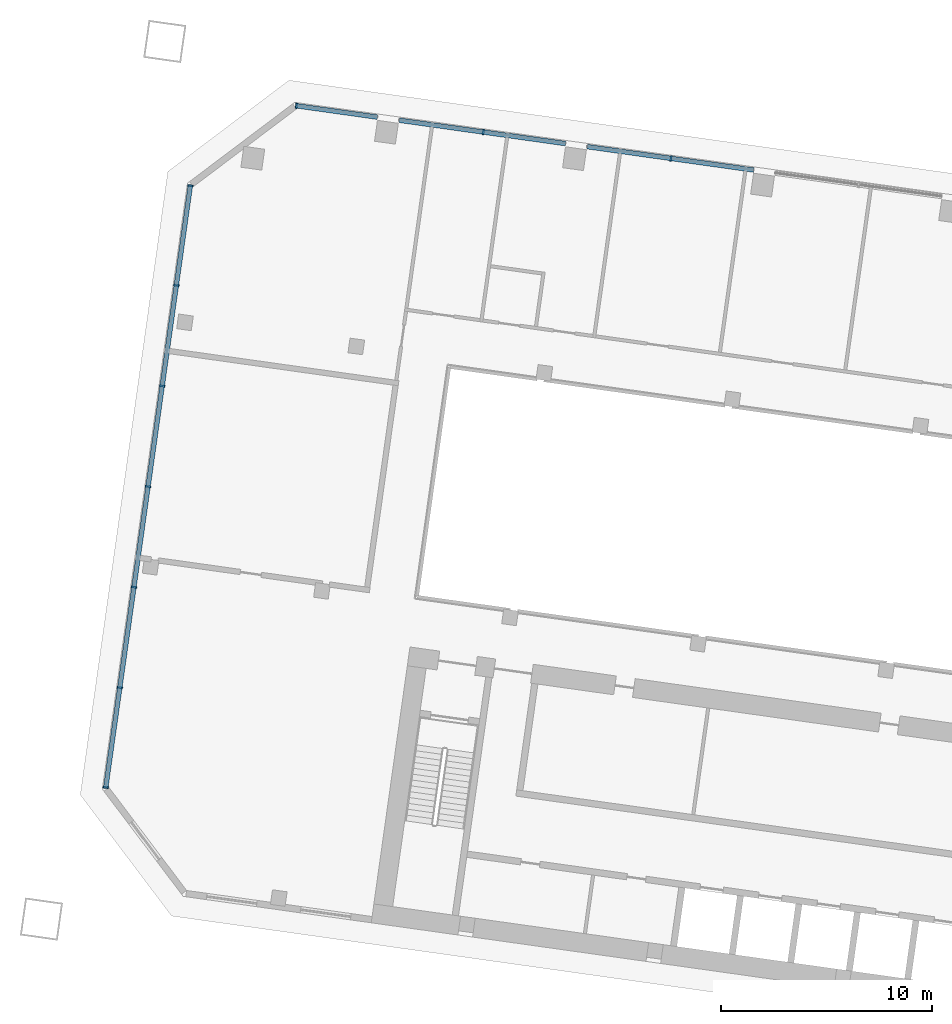
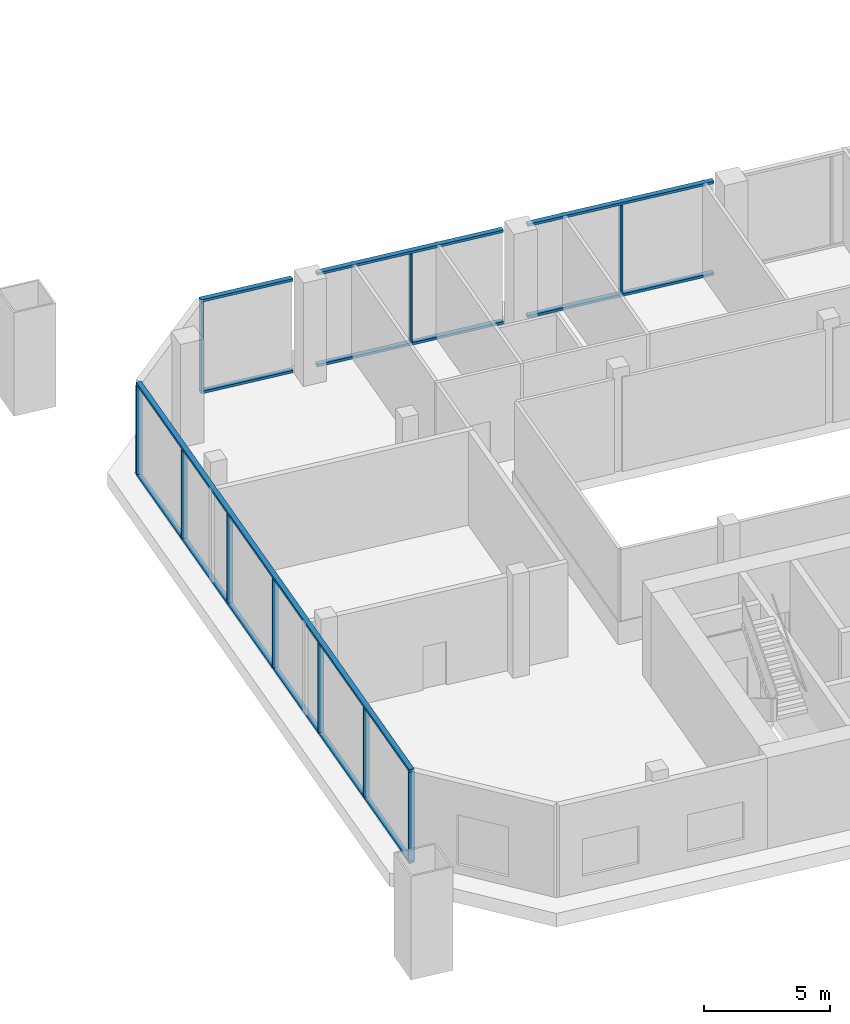
# One storey, part 2 of 21: 18 members, 2 elements without a shape of their own.
"""IFC4 building model written with IfcOpenShell, lengths in metres."""

from ifc_helpers import new_model, si_unit, direction, frame, origin, origin_2d, place, context, subcontext, project, spatial, rectangle, extrude, material, material_profile, profile_set, type_object, element, aggregate, save


model = new_model("IFC4")

# Units and contexts
model_context = context("Model", 3, precision=1e-05, world=origin(), true_north=direction((0.0, 1.0)))
body_context = subcontext(model_context, "Body", "Model", "MODEL_VIEW")
ifc_project = project(units=[si_unit("LENGTHUNIT", "METRE"), si_unit("AREAUNIT", "SQUARE_METRE"), si_unit("VOLUMEUNIT", "CUBIC_METRE"), si_unit("PLANEANGLEUNIT", "RADIAN"), si_unit("MASSUNIT", "GRAM", prefix="KILO")], contexts=[model_context])

# Site, building, storey
site_placement = place(None, origin())
site = spatial("IfcSite", under=ifc_project, at=site_placement, CompositionType="ELEMENT")
building_placement = place(site_placement, origin())
building = spatial("IfcBuilding", under=site, at=building_placement, Name="Mirante Cascada Hotel Towers", CompositionType="ELEMENT")
storey_placement = place(building_placement, frame((0.0, 0.0, 34.5)))
storey = spatial("IfcBuildingStorey", under=building, at=storey_placement, Name="L05", CompositionType="ELEMENT", Elevation=34.5)

# Curtain wall, members
ifc_material_1 = material(Name="Aluminium mullion and transom frame with clear laminated glass", Category="aluminium")
curtain_wall_type = type_object("IfcCurtainWallType", Name="Podium curtain wall ECW3", PredefinedType="NOTDEFINED", material=ifc_material_1)
curtain_wall_1_placement = place(storey_placement, origin())
curtain_wall_1 = element("IfcCurtainWall", 1, at=curtain_wall_1_placement, inside=storey, type_object=curtain_wall_type, Name="Front podium glazing T1 L05", PredefinedType="NOTDEFINED")
ifc_material_2 = material(Name="Anodised aluminium extrusion", Category="aluminium")
ifc_material_profile_1 = material_profile(ifc_material_2, rectangle(XDim=0.26, YDim=0.08, at=origin_2d()), Name="ECW3 MULLION 80x260")
ifc_profile_set_1 = profile_set([ifc_material_profile_1], Name="Anodised aluminium extrusion")
member_type_1 = type_object("IfcMemberType", Name="ECW3 mullion 80x260", PredefinedType="MULLION", material=ifc_profile_set_1)
member_1_placement = place(storey_placement, frame((-94.1185, 26.0465, 0.12), z_axis=(0.0, 0.0, 1.0), x_axis=(0.1391731, 0.9902681, 0.0)))
member_1 = element("IfcMember", 2, at=member_1_placement, type_object=member_type_1, Name="ECW3 mullion 1", PredefinedType="MULLION", context=body_context, shape_type="SweptSolid", body=[
    extrude(rectangle(XDim=0.26, YDim=0.08, at=origin_2d()), origin(), (0.0, 0.0, 1.0), 4.31),
])
member_2_placement = place(storey_placement, frame((-85.2633, 24.802, 0.12), z_axis=(0.0, 0.0, 1.0), x_axis=(0.1391731, 0.9902681, 0.0)))
member_2 = element("IfcMember", 3, at=member_2_placement, type_object=member_type_1, Name="ECW3 mullion 3", PredefinedType="MULLION", context=body_context, shape_type="SweptSolid", body=[
    extrude(rectangle(XDim=0.26, YDim=0.08, at=origin_2d()), origin(), (0.0, 0.0, 1.0), 4.31),
])
member_3_placement = place(storey_placement, frame((-76.3685, 23.5519, 0.12), z_axis=(0.0, 0.0, 1.0), x_axis=(0.1391731, 0.9902681, 0.0)))
member_3 = element("IfcMember", 4, at=member_3_placement, type_object=member_type_1, Name="ECW3 mullion 5", PredefinedType="MULLION", context=body_context, shape_type="SweptSolid", body=[
    extrude(rectangle(XDim=0.26, YDim=0.08, at=origin_2d()), origin(), (0.0, 0.0, 1.0), 4.31),
])

curtain_wall_2_placement = place(storey_placement, origin())
curtain_wall_2 = element("IfcCurtainWall", 5, at=curtain_wall_2_placement, inside=storey, type_object=curtain_wall_type, Name="Outer end podium glazing T1 L05", PredefinedType="NOTDEFINED")
member_4_placement = place(storey_placement, frame((-103.1546, -6.2582, 0.12), z_axis=(0.0, 0.0, 1.0), x_axis=(-0.9902681, 0.1391731, 0.0)))
member_4 = element("IfcMember", 6, at=member_4_placement, type_object=member_type_1, Name="ECW3 mullion 1", PredefinedType="MULLION", context=body_context, shape_type="SweptSolid", body=[
    extrude(rectangle(XDim=0.26, YDim=0.08, at=origin_2d()), origin(), (0.0, 0.0, 1.0), 4.31),
])
member_5_placement = place(storey_placement, frame((-102.4903, -1.532, 0.12), z_axis=(0.0, 0.0, 1.0), x_axis=(-0.9902681, 0.1391731, 0.0)))
member_5 = element("IfcMember", 7, at=member_5_placement, type_object=member_type_1, Name="ECW3 mullion 2", PredefinedType="MULLION", context=body_context, shape_type="SweptSolid", body=[
    extrude(rectangle(XDim=0.26, YDim=0.08, at=origin_2d()), origin(), (0.0, 0.0, 1.0), 4.31),
])
member_6_placement = place(storey_placement, frame((-101.8205, 3.2338, 0.12), z_axis=(0.0, 0.0, 1.0), x_axis=(-0.9902681, 0.1391731, 0.0)))
member_6 = element("IfcMember", 8, at=member_6_placement, type_object=member_type_1, Name="ECW3 mullion 3", PredefinedType="MULLION", context=body_context, shape_type="SweptSolid", body=[
    extrude(rectangle(XDim=0.26, YDim=0.08, at=origin_2d()), origin(), (0.0, 0.0, 1.0), 4.31),
])
member_7_placement = place(storey_placement, frame((-101.1508, 7.9996, 0.12), z_axis=(0.0, 0.0, 1.0), x_axis=(-0.9902681, 0.1391731, 0.0)))
member_7 = element("IfcMember", 9, at=member_7_placement, type_object=member_type_1, Name="ECW3 mullion 4", PredefinedType="MULLION", context=body_context, shape_type="SweptSolid", body=[
    extrude(rectangle(XDim=0.26, YDim=0.08, at=origin_2d()), origin(), (0.0, 0.0, 1.0), 4.31),
])
member_8_placement = place(storey_placement, frame((-100.481, 12.7654, 0.12), z_axis=(0.0, 0.0, 1.0), x_axis=(-0.9902681, 0.1391731, 0.0)))
member_8 = element("IfcMember", 10, at=member_8_placement, type_object=member_type_1, Name="ECW3 mullion 5", PredefinedType="MULLION", context=body_context, shape_type="SweptSolid", body=[
    extrude(rectangle(XDim=0.26, YDim=0.08, at=origin_2d()), origin(), (0.0, 0.0, 1.0), 4.31),
])
member_9_placement = place(storey_placement, frame((-99.8112, 17.5312, 0.12), z_axis=(0.0, 0.0, 1.0), x_axis=(-0.9902681, 0.1391731, 0.0)))
member_9 = element("IfcMember", 11, at=member_9_placement, type_object=member_type_1, Name="ECW3 mullion 6", PredefinedType="MULLION", context=body_context, shape_type="SweptSolid", body=[
    extrude(rectangle(XDim=0.26, YDim=0.08, at=origin_2d()), origin(), (0.0, 0.0, 1.0), 4.31),
])
member_10_placement = place(storey_placement, frame((-99.147, 22.2573, 0.12), z_axis=(0.0, 0.0, 1.0), x_axis=(-0.9902681, 0.1391731, 0.0)))
member_10 = element("IfcMember", 12, at=member_10_placement, type_object=member_type_1, Name="ECW3 mullion 7", PredefinedType="MULLION", context=body_context, shape_type="SweptSolid", body=[
    extrude(rectangle(XDim=0.26, YDim=0.08, at=origin_2d()), origin(), (0.0, 0.0, 1.0), 4.31),
])

# Member
ifc_material_3 = material(Name="Anodised aluminium extrusion", Category="aluminium")
ifc_material_profile_2 = material_profile(ifc_material_3, rectangle(XDim=0.22, YDim=0.12, at=origin_2d()), Name="ECW3 TRANSOM 120x220")
ifc_profile_set_2 = profile_set([ifc_material_profile_2], Name="Anodised aluminium extrusion")
member_type_2 = type_object("IfcMemberType", Name="ECW3 transom 120x220", PredefinedType="USERDEFINED", material=ifc_profile_set_2)
member_11_placement = place(storey_placement, frame((-94.1582, 26.0521, 0.06), z_axis=(0.990267, -0.1391805, 0.0), x_axis=(0.1391805, 0.990267, 0.0)))
member_11 = element("IfcMember", 13, at=member_11_placement, type_object=member_type_2, Name="ECW3 sill transom", ObjectType="TRANSOM", PredefinedType="USERDEFINED", context=body_context, shape_type="SweptSolid", body=[
    extrude(rectangle(XDim=0.22, YDim=0.12, at=origin_2d()), origin(), (0.0, 0.0, 1.0), 3.9179),
])

member_12_placement = place(storey_placement, frame((-89.2485, 25.3621, 0.06), z_axis=(0.9902683, -0.1391715, 0.0), x_axis=(0.1391715, 0.9902683, 0.0)))
member_12 = element("IfcMember", 14, at=member_12_placement, type_object=member_type_2, Name="ECW3 sill transom", ObjectType="TRANSOM", PredefinedType="USERDEFINED", context=body_context, shape_type="SweptSolid", body=[
    extrude(rectangle(XDim=0.22, YDim=0.12, at=origin_2d()), origin(), (0.0, 0.0, 1.0), 7.96),
])

member_13_placement = place(storey_placement, frame((-80.3361, 24.1095, 0.06), z_axis=(0.9902683, -0.1391715, 0.0), x_axis=(0.1391715, 0.9902683, 0.0)))
member_13 = element("IfcMember", 15, at=member_13_placement, type_object=member_type_2, Name="ECW3 sill transom", ObjectType="TRANSOM", PredefinedType="USERDEFINED", context=body_context, shape_type="SweptSolid", body=[
    extrude(rectangle(XDim=0.22, YDim=0.12, at=origin_2d()), origin(), (0.0, 0.0, 1.0), 7.96),
])

member_14_placement = place(storey_placement, frame((-94.1582, 26.0521, 4.49), z_axis=(0.990267, -0.1391805, 0.0), x_axis=(0.1391805, 0.990267, 0.0)))
member_14 = element("IfcMember", 16, at=member_14_placement, type_object=member_type_2, Name="ECW3 head transom", ObjectType="TRANSOM", PredefinedType="USERDEFINED", context=body_context, shape_type="SweptSolid", body=[
    extrude(rectangle(XDim=0.22, YDim=0.12, at=origin_2d()), origin(), (0.0, 0.0, 1.0), 3.9179),
])

member_15_placement = place(storey_placement, frame((-89.2485, 25.3621, 4.49), z_axis=(0.9902683, -0.1391715, 0.0), x_axis=(0.1391715, 0.9902683, 0.0)))
member_15 = element("IfcMember", 17, at=member_15_placement, type_object=member_type_2, Name="ECW3 head transom", ObjectType="TRANSOM", PredefinedType="USERDEFINED", context=body_context, shape_type="SweptSolid", body=[
    extrude(rectangle(XDim=0.22, YDim=0.12, at=origin_2d()), origin(), (0.0, 0.0, 1.0), 7.96),
])

member_16_placement = place(storey_placement, frame((-80.3361, 24.1095, 4.49), z_axis=(0.9902683, -0.1391715, 0.0), x_axis=(0.1391715, 0.9902683, 0.0)))
member_16 = element("IfcMember", 18, at=member_16_placement, type_object=member_type_2, Name="ECW3 head transom", ObjectType="TRANSOM", PredefinedType="USERDEFINED", context=body_context, shape_type="SweptSolid", body=[
    extrude(rectangle(XDim=0.22, YDim=0.12, at=origin_2d()), origin(), (0.0, 0.0, 1.0), 7.96),
])

aggregate(curtain_wall_1, [member_11, member_12, member_13, member_14, member_15, member_16, member_1, member_2, member_3])

member_17_placement = place(storey_placement, frame((-103.1601, -6.2978, 0.06), z_axis=(0.1391723, 0.9902682, 0.0), x_axis=(-0.9902682, 0.1391723, 0.0)))
member_17 = element("IfcMember", 19, at=member_17_placement, type_object=member_type_2, Name="ECW3 sill transom", ObjectType="TRANSOM", PredefinedType="USERDEFINED", context=body_context, shape_type="SweptSolid", body=[
    extrude(rectangle(XDim=0.22, YDim=0.12, at=origin_2d()), origin(), (0.0, 0.0, 1.0), 28.8757),
])

member_18_placement = place(storey_placement, frame((-103.1601, -6.2978, 4.49), z_axis=(0.1391723, 0.9902682, 0.0), x_axis=(-0.9902682, 0.1391723, 0.0)))
member_18 = element("IfcMember", 20, at=member_18_placement, type_object=member_type_2, Name="ECW3 head transom", ObjectType="TRANSOM", PredefinedType="USERDEFINED", context=body_context, shape_type="SweptSolid", body=[
    extrude(rectangle(XDim=0.22, YDim=0.12, at=origin_2d()), origin(), (0.0, 0.0, 1.0), 28.8757),
])

aggregate(curtain_wall_2, [member_17, member_18, member_4, member_5, member_6, member_7, member_8, member_9, member_10])

save(model, "model.ifc")
